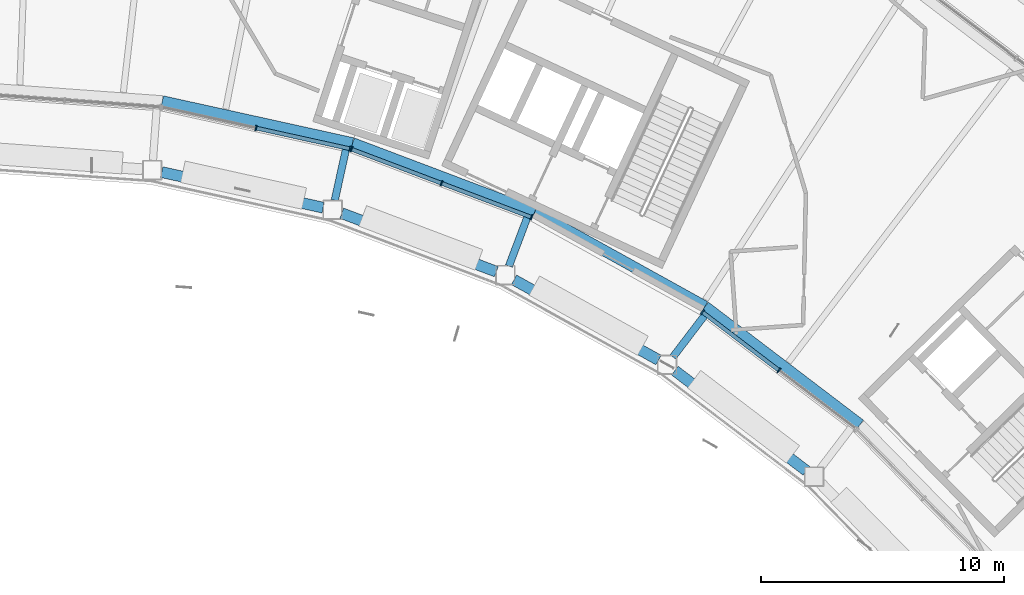
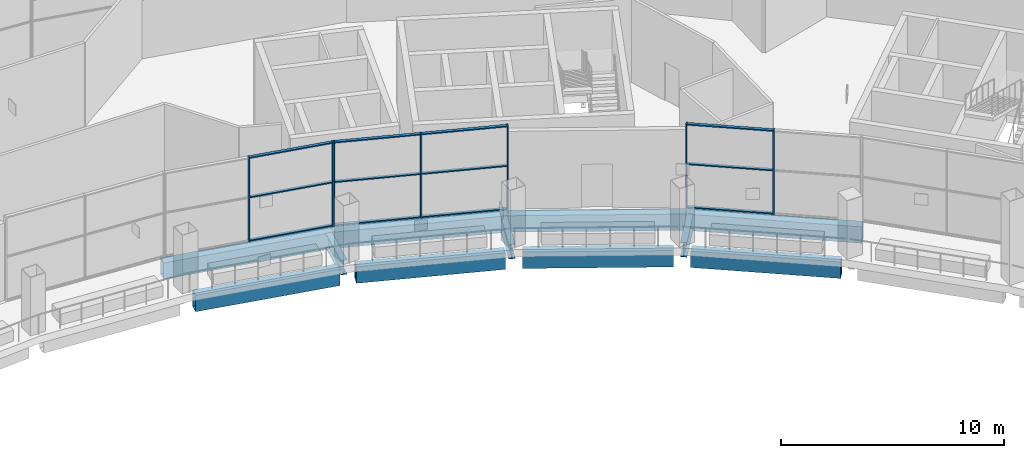
# One storey, part 8 of 29: 19 members, 11 beams, 3 elements without a shape of their own.
"""IFC4 building model written with IfcOpenShell, lengths in metres."""

from ifc_helpers import new_model, si_unit, direction, frame, origin, origin_2d, place, context, subcontext, project, spatial, rectangle, hollow_rectangle, i_section, extrude, material, layer, layer_set, material_profile, profile_set, type_object, element, aggregate, save


model = new_model("IFC4")

# Units and contexts
model_context = context("Model", 3, precision=1e-05, world=origin(), true_north=direction((0.0, 1.0)))
body_context = subcontext(model_context, "Body", "Model", "MODEL_VIEW")
ifc_project = project(units=[si_unit("LENGTHUNIT", "METRE"), si_unit("AREAUNIT", "SQUARE_METRE"), si_unit("VOLUMEUNIT", "CUBIC_METRE"), si_unit("PLANEANGLEUNIT", "RADIAN"), si_unit("MASSUNIT", "GRAM", prefix="KILO")], contexts=[model_context])

# Site, building, storey
site_placement = place(None, origin())
site = spatial("IfcSite", under=ifc_project, at=site_placement, CompositionType="ELEMENT")
building_placement = place(site_placement, origin())
building = spatial("IfcBuilding", under=site, at=building_placement, Name="Tuul Gate Civic Tower", CompositionType="ELEMENT")
storey_placement = place(building_placement, frame((0.0, 0.0, 238.89990234375)))
storey = spatial("IfcBuildingStorey", under=building, at=storey_placement, Name="Sky garden level 2", CompositionType="ELEMENT", Elevation=238.89990234375)

# Curtain wall, members
ifc_material_1 = material(Name="Aluminium", Category="aluminium")
ifc_layer = layer(ifc_material_1, 0.199951171875)
ifc_layer_set = layer_set([ifc_layer], Name="Aluminium")
curtain_wall_type = type_object("IfcCurtainWallType", Name="Curtain wall CW3", PredefinedType="NOTDEFINED", material=ifc_layer_set)
curtain_wall_1_placement = place(storey_placement, origin())
curtain_wall_1 = element("IfcCurtainWall", 1, at=curtain_wall_1_placement, inside=storey, type_object=curtain_wall_type, Name="Curtain wall CW3", PredefinedType="NOTDEFINED")
ifc_material_2 = material(Name="Aluminium", Category="aluminium")
ifc_material_profile_1 = material_profile(ifc_material_2, rectangle(XDim=0.219970703125, YDim=0.06005859375, at=origin_2d()), Name="CW3 mullion")
ifc_profile_set_1 = profile_set([ifc_material_profile_1], Name="Aluminium")
member_type_1 = type_object("IfcMemberType", Name="CW3 mullion", PredefinedType="MULLION", material=ifc_profile_set_1)
member_1_placement = place(storey_placement, frame((17.778076171875, -1.616455078125, 0.0), z_axis=(0.0, 0.0, 1.0), x_axis=(0.215216071904, 0.976566455698, 0.0)))
member_1 = element("IfcMember", 2, at=member_1_placement, type_object=member_type_1, Name="Mullion", PredefinedType="MULLION", context=body_context, shape_type="SweptSolid", body=[
    extrude(rectangle(XDim=0.219970703125, YDim=0.06005859375, at=origin_2d()), origin(), (0.0, 0.0, 1.0), 4.60009765625),
])
member_2_placement = place(storey_placement, frame((21.6396484375, -2.467529296875, 0.0), z_axis=(0.0, 0.0, 1.0), x_axis=(0.215216071904, 0.976566455698, 0.0)))
member_2 = element("IfcMember", 3, at=member_2_placement, type_object=member_type_1, Name="Mullion", PredefinedType="MULLION", context=body_context, shape_type="SweptSolid", body=[
    extrude(rectangle(XDim=0.219970703125, YDim=0.06005859375, at=origin_2d()), origin(), (0.0, 0.0, 1.0), 4.60009765625),
])

curtain_wall_2_placement = place(storey_placement, origin())
curtain_wall_2 = element("IfcCurtainWall", 4, at=curtain_wall_2_placement, inside=storey, type_object=curtain_wall_type, Name="Curtain wall CW3", PredefinedType="NOTDEFINED")
member_3_placement = place(storey_placement, frame((21.697021484375, -2.484619140625, 0.0), z_axis=(0.0, 0.0, 1.0), x_axis=(0.353776380754, 0.935330033956, 0.0)))
member_3 = element("IfcMember", 5, at=member_3_placement, type_object=member_type_1, Name="Mullion", PredefinedType="MULLION", context=body_context, shape_type="SweptSolid", body=[
    extrude(rectangle(XDim=0.219970703125, YDim=0.06005859375, at=origin_2d()), origin(), (0.0, 0.0, 1.0), 4.60009765625),
])
member_4_placement = place(storey_placement, frame((25.3955078125, -3.883544921875, 0.0), z_axis=(0.0, 0.0, 1.0), x_axis=(0.353776380754, 0.935330033956, 0.0)))
member_4 = element("IfcMember", 6, at=member_4_placement, type_object=member_type_1, Name="Mullion", PredefinedType="MULLION", context=body_context, shape_type="SweptSolid", body=[
    extrude(rectangle(XDim=0.219970703125, YDim=0.06005859375, at=origin_2d()), origin(), (0.0, 0.0, 1.0), 4.60009765625),
])
member_5_placement = place(storey_placement, frame((29.093994140625, -5.282470703125, 0.0), z_axis=(0.0, 0.0, 1.0), x_axis=(0.353776380754, 0.935330033956, 0.0)))
member_5 = element("IfcMember", 7, at=member_5_placement, type_object=member_type_1, Name="Mullion", PredefinedType="MULLION", context=body_context, shape_type="SweptSolid", body=[
    extrude(rectangle(XDim=0.219970703125, YDim=0.06005859375, at=origin_2d()), origin(), (0.0, 0.0, 1.0), 4.60009765625),
])

curtain_wall_3_placement = place(storey_placement, origin())
curtain_wall_3 = element("IfcCurtainWall", 8, at=curtain_wall_3_placement, inside=storey, type_object=curtain_wall_type, Name="Curtain wall CW3", PredefinedType="NOTDEFINED")
member_6_placement = place(storey_placement, frame((36.114990234375, -9.174072265625, 0.0), z_axis=(0.0, 0.0, 1.0), x_axis=(0.605767160524, 0.795641971763, 0.0)))
member_6 = element("IfcMember", 9, at=member_6_placement, type_object=member_type_1, Name="Mullion", PredefinedType="MULLION", context=body_context, shape_type="SweptSolid", body=[
    extrude(rectangle(XDim=0.219970703125, YDim=0.06005859375, at=origin_2d()), origin(), (0.0, 0.0, 1.0), 4.60009765625),
])
member_7_placement = place(storey_placement, frame((39.260986328125, -11.569580078125, 0.0), z_axis=(0.0, 0.0, 1.0), x_axis=(0.605767160524, 0.795641971763, 0.0)))
member_7 = element("IfcMember", 10, at=member_7_placement, type_object=member_type_1, Name="Mullion", PredefinedType="MULLION", context=body_context, shape_type="SweptSolid", body=[
    extrude(rectangle(XDim=0.219970703125, YDim=0.06005859375, at=origin_2d()), origin(), (0.0, 0.0, 1.0), 4.60009765625),
])

# Member
ifc_material_3 = material(Name="Aluminium", Category="aluminium")
ifc_material_profile_2 = material_profile(ifc_material_3, rectangle(XDim=0.159912109375, YDim=0.06005859375, at=origin_2d()), Name="CW3 transom")
ifc_profile_set_2 = profile_set([ifc_material_profile_2], Name="Aluminium")
member_type_2 = type_object("IfcMemberType", Name="CW3 transom", PredefinedType="USERDEFINED", material=ifc_profile_set_2)
member_8_placement = place(storey_placement, frame((17.807373046875, -1.623046875, 0.030029296875), z_axis=(0.976564676136, -0.215224146702, 0.0), x_axis=(0.215224146702, 0.976564676136, 0.0)))
member_8 = element("IfcMember", 11, at=member_8_placement, type_object=member_type_2, Name="Transom", ObjectType="TRANSOM", PredefinedType="USERDEFINED", context=body_context, shape_type="SweptSolid", body=[
    extrude(rectangle(XDim=0.159912109375, YDim=0.06005859375, at=origin_2d()), origin(), (0.0, 0.0, 1.0), 3.894287109375),
])

member_9_placement = place(storey_placement, frame((17.807373046875, -1.623046875, 2.400146484375), z_axis=(0.976564676136, -0.215224146702, 0.0), x_axis=(0.215224146702, 0.976564676136, 0.0)))
member_9 = element("IfcMember", 12, at=member_9_placement, type_object=member_type_2, Name="Transom", ObjectType="TRANSOM", PredefinedType="USERDEFINED", context=body_context, shape_type="SweptSolid", body=[
    extrude(rectangle(XDim=0.159912109375, YDim=0.06005859375, at=origin_2d()), origin(), (0.0, 0.0, 1.0), 3.894287109375),
])

member_10_placement = place(storey_placement, frame((17.807373046875, -1.623046875, 4.570068359375), z_axis=(0.976564676136, -0.215224146702, 0.0), x_axis=(0.215224146702, 0.976564676136, 0.0)))
member_10 = element("IfcMember", 13, at=member_10_placement, type_object=member_type_2, Name="Transom", ObjectType="TRANSOM", PredefinedType="USERDEFINED", context=body_context, shape_type="SweptSolid", body=[
    extrude(rectangle(XDim=0.159912109375, YDim=0.06005859375, at=origin_2d()), origin(), (0.0, 0.0, 1.0), 3.894287109375),
])

aggregate(curtain_wall_1, [member_1, member_2, member_8, member_9, member_10])

member_11_placement = place(storey_placement, frame((21.72509765625, -2.4951171875, 0.030029296875), z_axis=(0.935328313761, -0.353780928652, 0.0), x_axis=(0.353780928652, 0.935328313761, 0.0)))
member_11 = element("IfcMember", 14, at=member_11_placement, type_object=member_type_2, Name="Transom", ObjectType="TRANSOM", PredefinedType="USERDEFINED", context=body_context, shape_type="SweptSolid", body=[
    extrude(rectangle(XDim=0.159912109375, YDim=0.06005859375, at=origin_2d()), origin(), (0.0, 0.0, 1.0), 3.894287109375),
])

member_12_placement = place(storey_placement, frame((21.72509765625, -2.4951171875, 2.400146484375), z_axis=(0.935328313761, -0.353780928652, 0.0), x_axis=(0.353780928652, 0.935328313761, 0.0)))
member_12 = element("IfcMember", 15, at=member_12_placement, type_object=member_type_2, Name="Transom", ObjectType="TRANSOM", PredefinedType="USERDEFINED", context=body_context, shape_type="SweptSolid", body=[
    extrude(rectangle(XDim=0.159912109375, YDim=0.06005859375, at=origin_2d()), origin(), (0.0, 0.0, 1.0), 3.894287109375),
])

member_13_placement = place(storey_placement, frame((21.72509765625, -2.4951171875, 4.570068359375), z_axis=(0.935328313761, -0.353780928652, 0.0), x_axis=(0.353780928652, 0.935328313761, 0.0)))
member_13 = element("IfcMember", 16, at=member_13_placement, type_object=member_type_2, Name="Transom", ObjectType="TRANSOM", PredefinedType="USERDEFINED", context=body_context, shape_type="SweptSolid", body=[
    extrude(rectangle(XDim=0.159912109375, YDim=0.06005859375, at=origin_2d()), origin(), (0.0, 0.0, 1.0), 3.894287109375),
])

member_14_placement = place(storey_placement, frame((25.423583984375, -3.89404296875, 0.030029296875), z_axis=(0.935328313761, -0.353780928652, 0.0), x_axis=(0.353780928652, 0.935328313761, 0.0)))
member_14 = element("IfcMember", 17, at=member_14_placement, type_object=member_type_2, Name="Transom", ObjectType="TRANSOM", PredefinedType="USERDEFINED", context=body_context, shape_type="SweptSolid", body=[
    extrude(rectangle(XDim=0.159912109375, YDim=0.06005859375, at=origin_2d()), origin(), (0.0, 0.0, 1.0), 3.894287109375),
])

member_15_placement = place(storey_placement, frame((25.423583984375, -3.89404296875, 2.400146484375), z_axis=(0.935328313761, -0.353780928652, 0.0), x_axis=(0.353780928652, 0.935328313761, 0.0)))
member_15 = element("IfcMember", 18, at=member_15_placement, type_object=member_type_2, Name="Transom", ObjectType="TRANSOM", PredefinedType="USERDEFINED", context=body_context, shape_type="SweptSolid", body=[
    extrude(rectangle(XDim=0.159912109375, YDim=0.06005859375, at=origin_2d()), origin(), (0.0, 0.0, 1.0), 3.894287109375),
])

member_16_placement = place(storey_placement, frame((25.423583984375, -3.89404296875, 4.570068359375), z_axis=(0.935328313761, -0.353780928652, 0.0), x_axis=(0.353780928652, 0.935328313761, 0.0)))
member_16 = element("IfcMember", 19, at=member_16_placement, type_object=member_type_2, Name="Transom", ObjectType="TRANSOM", PredefinedType="USERDEFINED", context=body_context, shape_type="SweptSolid", body=[
    extrude(rectangle(XDim=0.159912109375, YDim=0.06005859375, at=origin_2d()), origin(), (0.0, 0.0, 1.0), 3.894287109375),
])

aggregate(curtain_wall_2, [member_3, member_4, member_5, member_11, member_12, member_13, member_14, member_15, member_16])

member_17_placement = place(storey_placement, frame((36.138671875, -9.1923828125, 0.030029296875), z_axis=(0.79565330062, -0.605752280403, 0.0), x_axis=(0.605752280403, 0.79565330062, 0.0)))
member_17 = element("IfcMember", 20, at=member_17_placement, type_object=member_type_2, Name="Transom", ObjectType="TRANSOM", PredefinedType="USERDEFINED", context=body_context, shape_type="SweptSolid", body=[
    extrude(rectangle(XDim=0.159912109375, YDim=0.06005859375, at=origin_2d()), origin(), (0.0, 0.0, 1.0), 3.89404296875),
])

member_18_placement = place(storey_placement, frame((36.138671875, -9.1923828125, 2.400146484375), z_axis=(0.79565330062, -0.605752280403, 0.0), x_axis=(0.605752280403, 0.79565330062, 0.0)))
member_18 = element("IfcMember", 21, at=member_18_placement, type_object=member_type_2, Name="Transom", ObjectType="TRANSOM", PredefinedType="USERDEFINED", context=body_context, shape_type="SweptSolid", body=[
    extrude(rectangle(XDim=0.159912109375, YDim=0.06005859375, at=origin_2d()), origin(), (0.0, 0.0, 1.0), 3.89404296875),
])

member_19_placement = place(storey_placement, frame((36.138671875, -9.1923828125, 4.570068359375), z_axis=(0.79565330062, -0.605752280403, 0.0), x_axis=(0.605752280403, 0.79565330062, 0.0)))
member_19 = element("IfcMember", 22, at=member_19_placement, type_object=member_type_2, Name="Transom", ObjectType="TRANSOM", PredefinedType="USERDEFINED", context=body_context, shape_type="SweptSolid", body=[
    extrude(rectangle(XDim=0.159912109375, YDim=0.06005859375, at=origin_2d()), origin(), (0.0, 0.0, 1.0), 3.89404296875),
])

aggregate(curtain_wall_3, [member_6, member_7, member_17, member_18, member_19])

# Beams
ifc_material_4 = material(Name="Steel S355", Category="steel")
ifc_material_profile_3 = material_profile(ifc_material_4, i_section(OverallWidth=0.300048828125, OverallDepth=0.800048828125, WebThickness=0.013916015625, FlangeThickness=0.02490234375, at=origin_2d()), Name="PG800x300x14x25")
ifc_profile_set_3 = profile_set([ifc_material_profile_3], Name="Steel S355")
beam_type_1 = type_object("IfcBeamType", Name="STR-FLOOR BEAM-PG800x300x14x25", PredefinedType="BEAM", material=ifc_profile_set_3)
for number, where, z_axis, x_axis, name in (
    (23, (21.010986328125, -4.582275390625, -0.7998046875), (0.215230137516, 0.976563355807, 0.0), (-0.976563355807, 0.215230137516, 0.0), "Terrace beam"),
    (24, (28.16748046875, -7.283935546875, -0.7998046875), (0.353666379486, 0.935371633107, 0.0), (-0.935371633107, 0.353666379486, 0.0), "Terrace beam"),
):
    element("IfcBeam", number, at=place(storey_placement, frame(where, z_axis=z_axis, x_axis=x_axis)), inside=storey, type_object=beam_type_1, Name=name, PredefinedType="BEAM", context=body_context, shape_type="SweptSolid", body=[
        extrude(i_section(OverallWidth=0.300048828125, OverallDepth=0.800048828125, WebThickness=0.013916015625, FlangeThickness=0.02490234375, at=origin_2d()), origin(), (0.0, 0.0, 1.0), 2.25048828125),
    ])
beam_1_placement = place(storey_placement, frame((34.908203125, -11.020751953125, -0.7998046875), z_axis=(0.605833988023, 0.795591087781, 0.0), x_axis=(-0.795591087781, 0.605833988023, 0.0)))
element("IfcBeam", 25, at=beam_1_placement, inside=storey, type_object=beam_type_1, Name="Terrace beam", PredefinedType="BEAM", context=body_context, shape_type="SweptSolid", body=[
    extrude(i_section(OverallWidth=0.300048828125, OverallDepth=0.800048828125, WebThickness=0.013916015625, FlangeThickness=0.02490234375, at=origin_2d()), origin(), (0.0, 0.0, 1.0), 2.250244140625),
])
ifc_material_5 = material(Name="Steel S355", Category="steel")
ifc_material_profile_4 = material_profile(ifc_material_5, hollow_rectangle(XDim=0.449951171875, YDim=0.89990234375, WallThickness=0.02490234375, at=origin_2d()), Name="BOX900x450x25")
ifc_profile_set_4 = profile_set([ifc_material_profile_4], Name="Steel S355")
beam_type_2 = type_object("IfcBeamType", Name="STR-SPANDREL BEAM-BOX900x450x25", PredefinedType="BEAM", material=ifc_profile_set_4)
beam_2_placement = place(storey_placement, frame((42.597412109375, -13.79541015625, -0.849853515625), z_axis=(-0.795645903979, 0.605761995739, 0.0), x_axis=(-0.605761995739, -0.795645903979, 0.0)))
element("IfcBeam", 26, at=beam_2_placement, inside=storey, type_object=beam_type_2, Name="Spandrel beam", PredefinedType="BEAM", context=body_context, shape_type="SweptSolid", body=[
    extrude(hollow_rectangle(XDim=0.449951171875, YDim=0.89990234375, WallThickness=0.02490234375, at=origin_2d()), origin(), (0.0, 0.0, 1.0), 8.0048828125),
])
for number, where, z_axis, x_axis, name in (
    (27, (36.228271484375, -8.9462890625, -0.849853515625), (-0.874591409354, 0.484860667289, 0.0), (-0.484860667289, -0.874591409354, 0.0), "Spandrel beam"),
    (28, (29.2275390625, -5.065185546875, -0.849853515625), (-0.935344087811, 0.353739222305, 0.0), (-0.353739222305, -0.935344087811, 0.0), "Spandrel beam"),
):
    element("IfcBeam", number, at=place(storey_placement, frame(where, z_axis=z_axis, x_axis=x_axis)), inside=storey, type_object=beam_type_2, Name=name, PredefinedType="BEAM", context=body_context, shape_type="SweptSolid", body=[
        extrude(hollow_rectangle(XDim=0.449951171875, YDim=0.89990234375, WallThickness=0.02490234375, at=origin_2d()), origin(), (0.0, 0.0, 1.0), 8.004638671875),
    ])
beam_3_placement = place(storey_placement, frame((21.740478515625, -2.233642578125, -0.849853515625), z_axis=(-0.976572341212, 0.215189364002, 0.0), x_axis=(-0.215189364002, -0.976572341212, 0.0)))
element("IfcBeam", 29, at=beam_3_placement, inside=storey, type_object=beam_type_2, Name="Spandrel beam", PredefinedType="BEAM", context=body_context, shape_type="SweptSolid", body=[
    extrude(hollow_rectangle(XDim=0.449951171875, YDim=0.89990234375, WallThickness=0.02490234375, at=origin_2d()), origin(), (0.0, 0.0, 1.0), 8.004150390625),
])
beam_4_placement = place(storey_placement, frame((13.902587890625, -3.425048828125, -0.849853515625), z_axis=(0.976554457368, -0.21527050842, 0.0), x_axis=(0.21527050842, 0.976554457368, 0.0)))
element("IfcBeam", 30, at=beam_4_placement, inside=storey, type_object=beam_type_2, Name="Terrace edge beam", PredefinedType="BEAM", context=body_context, shape_type="SweptSolid", body=[
    extrude(hollow_rectangle(XDim=0.449951171875, YDim=0.89990234375, WallThickness=0.02490234375, at=origin_2d()), origin(), (0.0, 0.0, 1.0), 6.791015625),
])
beam_5_placement = place(storey_placement, frame((21.299072265625, -5.114501953125, -0.849853515625), z_axis=(0.935366946495, -0.353678774319, 0.0), x_axis=(0.353678774319, 0.935366946495, 0.0)))
element("IfcBeam", 31, at=beam_5_placement, inside=storey, type_object=beam_type_2, Name="Terrace edge beam", PredefinedType="BEAM", context=body_context, shape_type="SweptSolid", body=[
    extrude(hollow_rectangle(XDim=0.449951171875, YDim=0.89990234375, WallThickness=0.02490234375, at=origin_2d()), origin(), (0.0, 0.0, 1.0), 6.791748046875),
])
beam_6_placement = place(storey_placement, frame((28.375732421875, -7.85205078125, -0.849853515625), z_axis=(0.874611291259, -0.484824802585, 0.0), x_axis=(0.484824802585, 0.874611291259, 0.0)))
element("IfcBeam", 32, at=beam_6_placement, inside=storey, type_object=beam_type_2, Name="Terrace edge beam", PredefinedType="BEAM", context=body_context, shape_type="SweptSolid", body=[
    extrude(hollow_rectangle(XDim=0.449951171875, YDim=0.89990234375, WallThickness=0.02490234375, at=origin_2d()), origin(), (0.0, 0.0, 1.0), 6.7919921875),
])
beam_7_placement = place(storey_placement, frame((34.984130859375, -11.581298828125, -0.849853515625), z_axis=(0.79560909882, -0.605810334903, 0.0), x_axis=(0.605810334903, 0.79560909882, 0.0)))
element("IfcBeam", 33, at=beam_7_placement, inside=storey, type_object=beam_type_2, Name="Terrace edge beam", PredefinedType="BEAM", context=body_context, shape_type="SweptSolid", body=[
    extrude(hollow_rectangle(XDim=0.449951171875, YDim=0.89990234375, WallThickness=0.02490234375, at=origin_2d()), origin(), (0.0, 0.0, 1.0), 6.791748046875),
])

save(model, "model.ifc")
